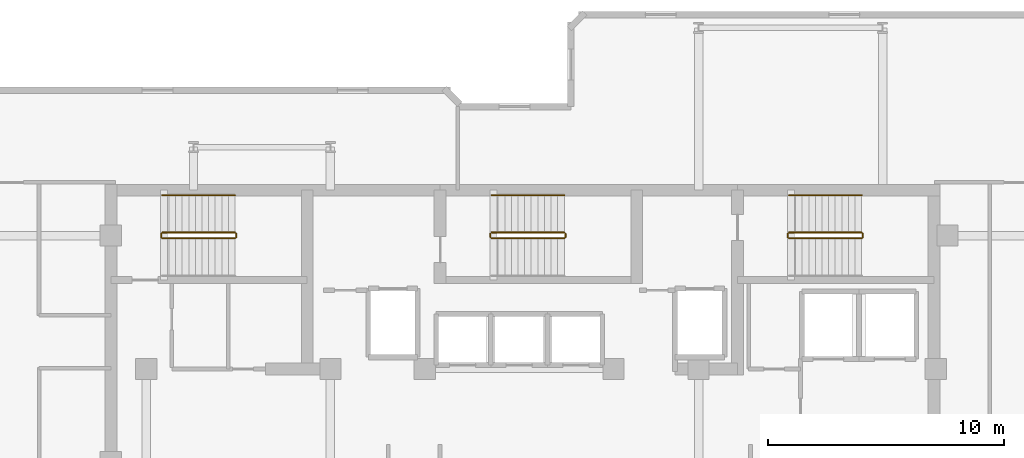
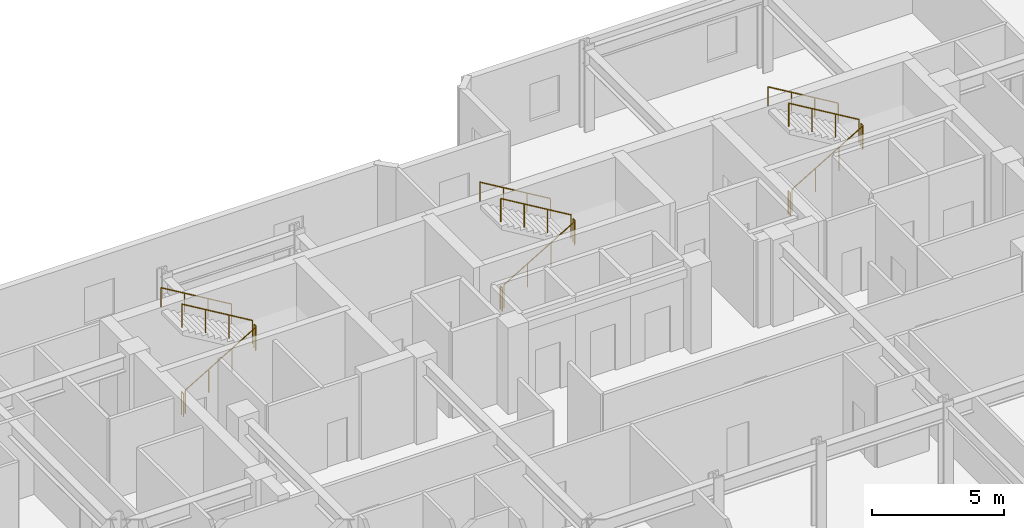
# One storey, part 10 of 10: 15 railings.
"""IFC4 building model written with IfcOpenShell, lengths in metres."""

from ifc_helpers import new_model, si_unit, direction, frame, origin, origin_2d, place, context, subcontext, project, spatial, circle, extrude, material, type_object, element, save


model = new_model("IFC4")

# Units and contexts
model_context = context("Model", 3, precision=1e-05, world=origin(), true_north=direction((0.0, 1.0)))
body_context = subcontext(model_context, "Body", "Model", "MODEL_VIEW")
ifc_project = project(units=[si_unit("LENGTHUNIT", "METRE"), si_unit("AREAUNIT", "SQUARE_METRE"), si_unit("VOLUMEUNIT", "CUBIC_METRE"), si_unit("PLANEANGLEUNIT", "RADIAN"), si_unit("MASSUNIT", "GRAM", prefix="KILO")], contexts=[model_context])

# Site, building, storey
site_placement = place(None, origin())
site = spatial("IfcSite", under=ifc_project, at=site_placement, CompositionType="ELEMENT")
building_placement = place(site_placement, origin())
building = spatial("IfcBuilding", under=site, at=building_placement, Name="Kestravale Grand Hotel", CompositionType="ELEMENT")
storey_placement = place(building_placement, frame((0.0, 0.0, 281.39990234375)))
storey = spatial("IfcBuildingStorey", under=building, at=storey_placement, Name="L70", CompositionType="ELEMENT", Elevation=281.39990234375)

# Railings
ifc_material_1 = material(Name="Painted tubular steel stair well guard", Category="steel")
railing_type_1 = type_object("IfcRailingType", Name="RL-ST-GRD1100", PredefinedType="GUARDRAIL", material=ifc_material_1)
railing_1_placement = place(storey_placement, frame((24.080078125, 38.280029296875, 0.166748046875)))
element("IfcRailing", 1, at=railing_1_placement, inside=storey, type_object=railing_type_1, Name="L70 ST-1 stair guard 1", PredefinedType="GUARDRAIL", context=body_context, shape_type="SweptSolid", body=[
    extrude(circle(Radius=0.02392578125, at=origin_2d()), frame((0.0, 0.0, 1.076171875), z_axis=(0.859290745958, 0.0, 0.51148745235), x_axis=(0.0, 1.0, 0.0)), (0.0, 0.0, 1.0), 3.584228515625),
    extrude(circle(Radius=0.02099609375, at=origin_2d()), origin(), (0.0, 0.0, 1.0), 1.052001953125),
    extrude(circle(Radius=0.02099609375, at=origin_2d()), frame((1.026611328125, 0.0, 0.611083984375)), (0.0, 0.0, 1.0), 1.052001953125),
    extrude(circle(Radius=0.02099609375, at=origin_2d()), frame((2.05322265625, 0.0, 1.22216796875)), (0.0, 0.0, 1.0), 1.052001953125),
    extrude(circle(Radius=0.02099609375, at=origin_2d()), frame((3.079833984375, 0.0, 1.833251953125)), (0.0, 0.0, 1.0), 1.052001953125),
])
railing_2_placement = place(storey_placement, frame((27.2099609375, 38.330078125, 2.0)))
element("IfcRailing", 2, at=railing_2_placement, inside=storey, type_object=railing_type_1, Name="L70 ST-1 stair guard 2", PredefinedType="GUARDRAIL", context=body_context, shape_type="SweptSolid", body=[
    extrude(circle(Radius=0.02392578125, at=origin_2d()), frame((0.0, 0.0, 1.076171875), z_axis=(0.0, 1.0, 0.0), x_axis=(-1.0, 0.0, 0.0)), (0.0, 0.0, 1.0), 0.14990234375),
    extrude(circle(Radius=0.02099609375, at=origin_2d()), origin(), (0.0, 0.0, 1.0), 1.052001953125),
    extrude(circle(Radius=0.02099609375, at=origin_2d()), frame((0.0, 0.14990234375, 0.0)), (0.0, 0.0, 1.0), 1.052001953125),
])
railing_3_placement = place(storey_placement, frame((27.159912109375, 38.530029296875, 2.166748046875)))
element("IfcRailing", 3, at=railing_3_placement, inside=storey, type_object=railing_type_1, Name="L70 ST-1 stair guard 3", PredefinedType="GUARDRAIL", context=body_context, shape_type="SweptSolid", body=[
    extrude(circle(Radius=0.02392578125, at=origin_2d()), frame((0.0, 0.0, 1.076171875), z_axis=(-0.859290745958, 0.0, 0.51148745235), x_axis=(0.0, -1.0, 0.0)), (0.0, 0.0, 1.0), 3.584228515625),
    extrude(circle(Radius=0.02099609375, at=origin_2d()), origin(), (0.0, 0.0, 1.0), 1.052001953125),
    extrude(circle(Radius=0.02099609375, at=origin_2d()), frame((-1.026611328125, 0.0, 0.611083984375)), (0.0, 0.0, 1.0), 1.052001953125),
    extrude(circle(Radius=0.02099609375, at=origin_2d()), frame((-2.05322265625, 0.0, 1.22216796875)), (0.0, 0.0, 1.0), 1.052001953125),
    extrude(circle(Radius=0.02099609375, at=origin_2d()), frame((-3.079833984375, 0.0, 1.833251953125)), (0.0, 0.0, 1.0), 1.052001953125),
])
railing_4_placement = place(storey_placement, frame((24.030029296875, 38.330078125, 0.0)))
element("IfcRailing", 4, at=railing_4_placement, inside=storey, type_object=railing_type_1, Name="L70 ST-1 stair guard 4", PredefinedType="GUARDRAIL", context=body_context, shape_type="SweptSolid", body=[
    extrude(circle(Radius=0.02392578125, at=origin_2d()), frame((0.0, 0.0, 1.076171875), z_axis=(0.0, 1.0, 0.0), x_axis=(-1.0, 0.0, 0.0)), (0.0, 0.0, 1.0), 0.14990234375),
    extrude(circle(Radius=0.02099609375, at=origin_2d()), origin(), (0.0, 0.0, 1.0), 1.052001953125),
    extrude(circle(Radius=0.02099609375, at=origin_2d()), frame((0.0, 0.14990234375, 0.0)), (0.0, 0.0, 1.0), 1.052001953125),
])
railing_5_placement = place(storey_placement, frame((38.030029296875, 38.280029296875, 0.166748046875)))
element("IfcRailing", 5, at=railing_5_placement, inside=storey, type_object=railing_type_1, Name="L70 ST-2 stair guard 1", PredefinedType="GUARDRAIL", context=body_context, shape_type="SweptSolid", body=[
    extrude(circle(Radius=0.02392578125, at=origin_2d()), frame((0.0, 0.0, 1.076171875), z_axis=(0.859308565015, 0.0, 0.511457515432), x_axis=(0.0, 1.0, 0.0)), (0.0, 0.0, 1.0), 3.58447265625),
    extrude(circle(Radius=0.02099609375, at=origin_2d()), origin(), (0.0, 0.0, 1.0), 1.052001953125),
    extrude(circle(Radius=0.02099609375, at=origin_2d()), frame((1.026611328125, 0.0, 0.611083984375)), (0.0, 0.0, 1.0), 1.052001953125),
    extrude(circle(Radius=0.02099609375, at=origin_2d()), frame((2.053466796875, 0.0, 1.22216796875)), (0.0, 0.0, 1.0), 1.052001953125),
    extrude(circle(Radius=0.02099609375, at=origin_2d()), frame((3.080078125, 0.0, 1.833251953125)), (0.0, 0.0, 1.0), 1.052001953125),
])
railing_6_placement = place(storey_placement, frame((41.159912109375, 38.330078125, 2.0)))
element("IfcRailing", 6, at=railing_6_placement, inside=storey, type_object=railing_type_1, Name="L70 ST-2 stair guard 2", PredefinedType="GUARDRAIL", context=body_context, shape_type="SweptSolid", body=[
    extrude(circle(Radius=0.02392578125, at=origin_2d()), frame((0.0, 0.0, 1.076171875), z_axis=(0.0, 1.0, 0.0), x_axis=(-1.0, 0.0, 0.0)), (0.0, 0.0, 1.0), 0.14990234375),
    extrude(circle(Radius=0.02099609375, at=origin_2d()), origin(), (0.0, 0.0, 1.0), 1.052001953125),
    extrude(circle(Radius=0.02099609375, at=origin_2d()), frame((0.0, 0.14990234375, 0.0)), (0.0, 0.0, 1.0), 1.052001953125),
])
railing_7_placement = place(storey_placement, frame((41.110107421875, 38.530029296875, 2.166748046875)))
element("IfcRailing", 7, at=railing_7_placement, inside=storey, type_object=railing_type_1, Name="L70 ST-2 stair guard 3", PredefinedType="GUARDRAIL", context=body_context, shape_type="SweptSolid", body=[
    extrude(circle(Radius=0.02392578125, at=origin_2d()), frame((0.0, 0.0, 1.076171875), z_axis=(-0.859308565015, 0.0, 0.511457515432), x_axis=(0.0, -1.0, 0.0)), (0.0, 0.0, 1.0), 3.58447265625),
    extrude(circle(Radius=0.02099609375, at=origin_2d()), origin(), (0.0, 0.0, 1.0), 1.052001953125),
    extrude(circle(Radius=0.02099609375, at=origin_2d()), frame((-1.026611328125, 0.0, 0.611083984375)), (0.0, 0.0, 1.0), 1.052001953125),
    extrude(circle(Radius=0.02099609375, at=origin_2d()), frame((-2.053466796875, 0.0, 1.22216796875)), (0.0, 0.0, 1.0), 1.052001953125),
    extrude(circle(Radius=0.02099609375, at=origin_2d()), frame((-3.080078125, 0.0, 1.833251953125)), (0.0, 0.0, 1.0), 1.052001953125),
])
railing_8_placement = place(storey_placement, frame((37.97998046875, 38.330078125, 0.0)))
element("IfcRailing", 8, at=railing_8_placement, inside=storey, type_object=railing_type_1, Name="L70 ST-2 stair guard 4", PredefinedType="GUARDRAIL", context=body_context, shape_type="SweptSolid", body=[
    extrude(circle(Radius=0.02392578125, at=origin_2d()), frame((0.0, 0.0, 1.076171875), z_axis=(0.0, 1.0, 0.0), x_axis=(-1.0, 0.0, 0.0)), (0.0, 0.0, 1.0), 0.14990234375),
    extrude(circle(Radius=0.02099609375, at=origin_2d()), origin(), (0.0, 0.0, 1.0), 1.052001953125),
    extrude(circle(Radius=0.02099609375, at=origin_2d()), frame((0.0, 0.14990234375, 0.0)), (0.0, 0.0, 1.0), 1.052001953125),
])
railing_9_placement = place(storey_placement, frame((50.6298828125, 38.280029296875, 0.166748046875)))
element("IfcRailing", 9, at=railing_9_placement, inside=storey, type_object=railing_type_1, Name="L70 ST-3 stair guard 1", PredefinedType="GUARDRAIL", context=body_context, shape_type="SweptSolid", body=[
    extrude(circle(Radius=0.02392578125, at=origin_2d()), frame((0.0, 0.0, 1.076171875), z_axis=(0.859308565015, 0.0, 0.511457515432), x_axis=(0.0, 1.0, 0.0)), (0.0, 0.0, 1.0), 3.58447265625),
    extrude(circle(Radius=0.02099609375, at=origin_2d()), origin(), (0.0, 0.0, 1.0), 1.052001953125),
    extrude(circle(Radius=0.02099609375, at=origin_2d()), frame((1.026611328125, 0.0, 0.611083984375)), (0.0, 0.0, 1.0), 1.052001953125),
    extrude(circle(Radius=0.02099609375, at=origin_2d()), frame((2.053466796875, 0.0, 1.22216796875)), (0.0, 0.0, 1.0), 1.052001953125),
    extrude(circle(Radius=0.02099609375, at=origin_2d()), frame((3.080078125, 0.0, 1.833251953125)), (0.0, 0.0, 1.0), 1.052001953125),
])
railing_10_placement = place(storey_placement, frame((53.760009765625, 38.330078125, 2.0)))
element("IfcRailing", 10, at=railing_10_placement, inside=storey, type_object=railing_type_1, Name="L70 ST-3 stair guard 2", PredefinedType="GUARDRAIL", context=body_context, shape_type="SweptSolid", body=[
    extrude(circle(Radius=0.02392578125, at=origin_2d()), frame((0.0, 0.0, 1.076171875), z_axis=(0.0, 1.0, 0.0), x_axis=(-1.0, 0.0, 0.0)), (0.0, 0.0, 1.0), 0.14990234375),
    extrude(circle(Radius=0.02099609375, at=origin_2d()), origin(), (0.0, 0.0, 1.0), 1.052001953125),
    extrude(circle(Radius=0.02099609375, at=origin_2d()), frame((0.0, 0.14990234375, 0.0)), (0.0, 0.0, 1.0), 1.052001953125),
])
railing_11_placement = place(storey_placement, frame((53.7099609375, 38.530029296875, 2.166748046875)))
element("IfcRailing", 11, at=railing_11_placement, inside=storey, type_object=railing_type_1, Name="L70 ST-3 stair guard 3", PredefinedType="GUARDRAIL", context=body_context, shape_type="SweptSolid", body=[
    extrude(circle(Radius=0.02392578125, at=origin_2d()), frame((0.0, 0.0, 1.076171875), z_axis=(-0.859308565015, 0.0, 0.511457515432), x_axis=(0.0, -1.0, 0.0)), (0.0, 0.0, 1.0), 3.58447265625),
    extrude(circle(Radius=0.02099609375, at=origin_2d()), origin(), (0.0, 0.0, 1.0), 1.052001953125),
    extrude(circle(Radius=0.02099609375, at=origin_2d()), frame((-1.026611328125, 0.0, 0.611083984375)), (0.0, 0.0, 1.0), 1.052001953125),
    extrude(circle(Radius=0.02099609375, at=origin_2d()), frame((-2.053466796875, 0.0, 1.22216796875)), (0.0, 0.0, 1.0), 1.052001953125),
    extrude(circle(Radius=0.02099609375, at=origin_2d()), frame((-3.080078125, 0.0, 1.833251953125)), (0.0, 0.0, 1.0), 1.052001953125),
])
railing_12_placement = place(storey_placement, frame((50.580078125, 38.330078125, 0.0)))
element("IfcRailing", 12, at=railing_12_placement, inside=storey, type_object=railing_type_1, Name="L70 ST-3 stair guard 4", PredefinedType="GUARDRAIL", context=body_context, shape_type="SweptSolid", body=[
    extrude(circle(Radius=0.02392578125, at=origin_2d()), frame((0.0, 0.0, 1.076171875), z_axis=(0.0, 1.0, 0.0), x_axis=(-1.0, 0.0, 0.0)), (0.0, 0.0, 1.0), 0.14990234375),
    extrude(circle(Radius=0.02099609375, at=origin_2d()), origin(), (0.0, 0.0, 1.0), 1.052001953125),
    extrude(circle(Radius=0.02099609375, at=origin_2d()), frame((0.0, 0.14990234375, 0.0)), (0.0, 0.0, 1.0), 1.052001953125),
])
ifc_material_2 = material(Name="Brushed stainless steel wall handrail", Category="steel")
railing_type_2 = type_object("IfcRailingType", Name="RL-ST-HND900", PredefinedType="HANDRAIL", material=ifc_material_2)
railing_13_placement = place(storey_placement, frame((27.159912109375, 40.110107421875, 2.166748046875)))
element("IfcRailing", 13, at=railing_13_placement, inside=storey, type_object=railing_type_2, Name="L70 ST-1 stair handrail 2", PredefinedType="HANDRAIL", context=body_context, shape_type="SweptSolid", body=[
    extrude(circle(Radius=0.02392578125, at=origin_2d()), frame((0.0, 0.0, 0.8759765625), z_axis=(-0.859290745958, 0.0, 0.51148745235), x_axis=(0.0, -1.0, 0.0)), (0.0, 0.0, 1.0), 3.584228515625),
    extrude(circle(Radius=0.02099609375, at=origin_2d()), origin(), (0.0, 0.0, 1.0), 0.851806640625),
    extrude(circle(Radius=0.02099609375, at=origin_2d()), frame((-1.026611328125, 0.0, 0.611083984375)), (0.0, 0.0, 1.0), 0.851806640625),
    extrude(circle(Radius=0.02099609375, at=origin_2d()), frame((-2.05322265625, 0.0, 1.22216796875)), (0.0, 0.0, 1.0), 0.851806640625),
    extrude(circle(Radius=0.02099609375, at=origin_2d()), frame((-3.079833984375, 0.0, 1.833251953125)), (0.0, 0.0, 1.0), 0.851806640625),
])
for number, where, name in (
    (14, (41.110107421875, 40.110107421875, 2.166748046875), "L70 ST-2 stair handrail 2"),
    (15, (53.7099609375, 40.110107421875, 2.166748046875), "L70 ST-3 stair handrail 2"),
):
    element("IfcRailing", number, at=place(storey_placement, frame(where)), inside=storey, type_object=railing_type_2, Name=name, PredefinedType="HANDRAIL", context=body_context, shape_type="SweptSolid", body=[
        extrude(circle(Radius=0.02392578125, at=origin_2d()), frame((0.0, 0.0, 0.8759765625), z_axis=(-0.859308565015, 0.0, 0.511457515432), x_axis=(0.0, -1.0, 0.0)), (0.0, 0.0, 1.0), 3.58447265625),
        extrude(circle(Radius=0.02099609375, at=origin_2d()), origin(), (0.0, 0.0, 1.0), 0.851806640625),
        extrude(circle(Radius=0.02099609375, at=origin_2d()), frame((-1.026611328125, 0.0, 0.611083984375)), (0.0, 0.0, 1.0), 0.851806640625),
        extrude(circle(Radius=0.02099609375, at=origin_2d()), frame((-2.053466796875, 0.0, 1.22216796875)), (0.0, 0.0, 1.0), 0.851806640625),
        extrude(circle(Radius=0.02099609375, at=origin_2d()), frame((-3.080078125, 0.0, 1.833251953125)), (0.0, 0.0, 1.0), 0.851806640625),
    ])

save(model, "model.ifc")
